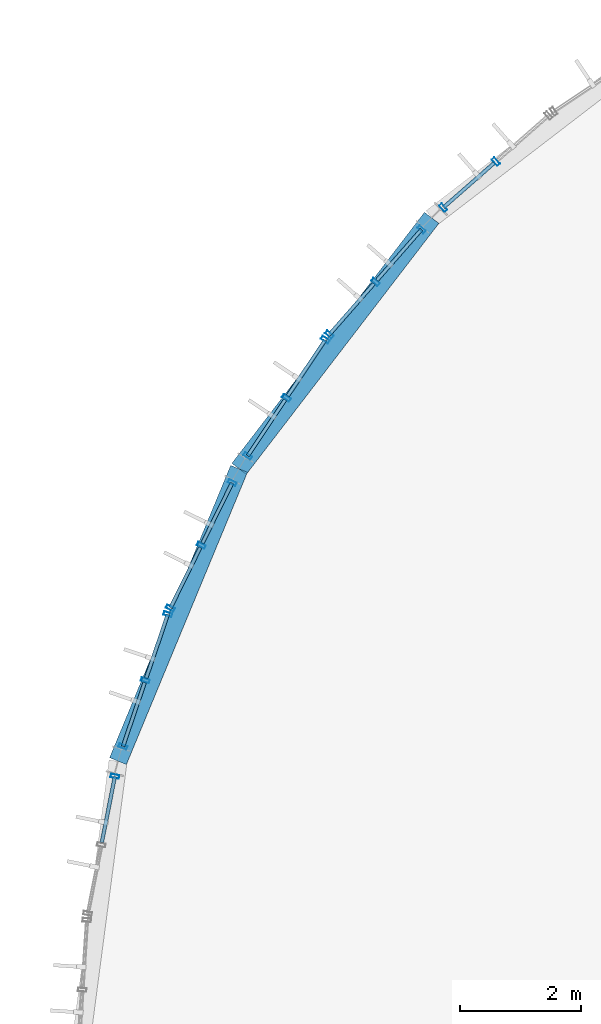
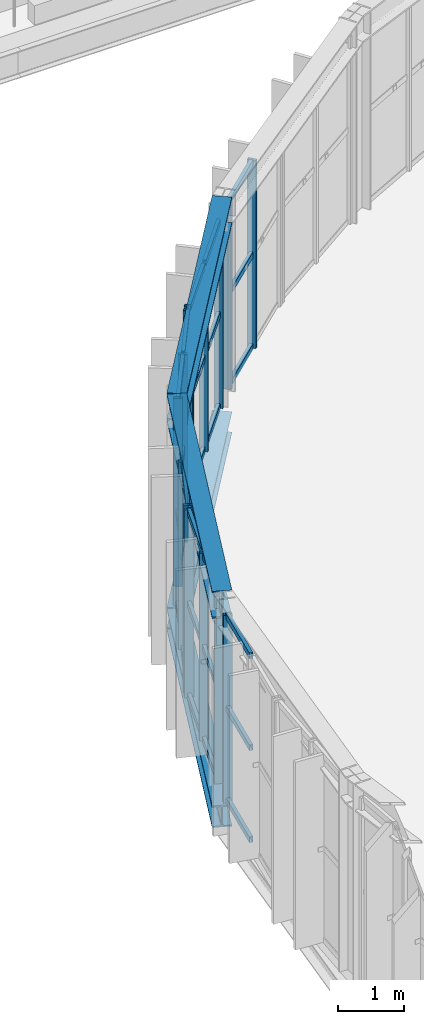
# One storey, part 51 of 152: 45 members, 4 beams, 6 elements without a shape of their own.
"""IFC4 building model written with IfcOpenShell, lengths in metres."""

from ifc_helpers import new_model, si_unit, derived_unit, direction, frame, origin, origin_2d, place, context, subcontext, project, spatial, hollow_rectangle, i_section, extrude, material, material_profile, profile_set, type_object, element, aggregate, save


model = new_model("IFC4")

# Units and contexts
model_context = context("Model", 3, precision=1e-05, world=origin(), true_north=direction((0.0, 1.0)))
body_context = subcontext(model_context, "Body", "Model", "MODEL_VIEW")
ifc_project = project(units=[si_unit("LENGTHUNIT", "METRE"), si_unit("AREAUNIT", "SQUARE_METRE"), si_unit("VOLUMEUNIT", "CUBIC_METRE"), si_unit("PLANEANGLEUNIT", "RADIAN"), si_unit("MASSUNIT", "GRAM", prefix="KILO"), si_unit("THERMODYNAMICTEMPERATUREUNIT", "KELVIN"), si_unit("TIMEUNIT", "SECOND"), derived_unit("THERMALTRANSMITTANCEUNIT", [(si_unit("MASSUNIT", "GRAM", prefix="KILO"), 1), (si_unit("THERMODYNAMICTEMPERATUREUNIT", "KELVIN"), -1), (si_unit("TIMEUNIT", "SECOND"), -3)])], contexts=[model_context])

# Site, building, storey
site_placement = place(None, origin())
site = spatial("IfcSite", under=ifc_project, at=site_placement, CompositionType="ELEMENT")
building_placement = place(site_placement, origin())
building = spatial("IfcBuilding", under=site, at=building_placement, Name="Cambertide Market Hall", CompositionType="ELEMENT")
storey_placement = place(building_placement, frame((0.0, 0.0, 5.39990234375)))
storey = spatial("IfcBuildingStorey", under=building, at=storey_placement, Name="L02", CompositionType="ELEMENT", Elevation=5.39990234375)

# Curtain wall, members
ifc_material_1 = material(Name="Marine Anodized Aluminium 6063-T6 AA25", Category="aluminium")
curtain_wall_type = type_object("IfcCurtainWallType", Name="Lantern Apse Chord Upper Curtain Wall", PredefinedType="USERDEFINED", material=ifc_material_1)
curtain_wall_1_placement = place(storey_placement, origin())
curtain_wall_1 = element("IfcCurtainWall", 1, at=curtain_wall_1_placement, inside=storey, type_object=curtain_wall_type, Name="Level 2 Curtain Wall CW-V1AW-L02-06", ObjectType="UNITIZED CURTAIN WALL", PredefinedType="USERDEFINED")
ifc_material_2 = material(Name="Champagne Marine Anodized Aluminium 6063-T6 AA25", Category="aluminium")
ifc_material_profile_1 = material_profile(ifc_material_2, hollow_rectangle(XDim=0.06005859375, YDim=0.139892578125, WallThickness=0.00341796875, at=origin_2d()), Name="ALU MULLION 60x140")
ifc_profile_set_1 = profile_set([ifc_material_profile_1], Name="Champagne Marine Anodized Aluminium 6063-T6 AA25")
member_type_1 = type_object("IfcMemberType", Name="Curtain Wall Mullion ALU MULLION 60x140", PredefinedType="MULLION", material=ifc_profile_set_1)
member_1_placement = place(storey_placement, frame((28.049560546875, 86.310302734375, 0.0), z_axis=(0.0, 0.0, 1.0), x_axis=(0.751839834741, 0.659345784014, 0.0)))
member_1 = element("IfcMember", 2, at=member_1_placement, type_object=member_type_1, Name="CW-V1AW-L02-06 Mullion 1", PredefinedType="MULLION", context=body_context, shape_type="SweptSolid", body=[
    extrude(hollow_rectangle(XDim=0.06005859375, YDim=0.139892578125, WallThickness=0.00341796875, at=origin_2d()), origin(), (0.0, 0.0, 1.0), 3.4501953125),
])
member_2_placement = place(storey_placement, frame((28.91650390625, 87.070556640625, 0.0), z_axis=(0.0, 0.0, 1.0), x_axis=(0.751839834741, 0.659345784014, 0.0)))
member_2 = element("IfcMember", 3, at=member_2_placement, type_object=member_type_1, Name="CW-V1AW-L02-06 Mullion 2", PredefinedType="MULLION", context=body_context, shape_type="SweptSolid", body=[
    extrude(hollow_rectangle(XDim=0.06005859375, YDim=0.139892578125, WallThickness=0.00341796875, at=origin_2d()), origin(), (0.0, 0.0, 1.0), 3.4501953125),
])

curtain_wall_2_placement = place(storey_placement, origin())
curtain_wall_2 = element("IfcCurtainWall", 4, at=curtain_wall_2_placement, inside=storey, type_object=curtain_wall_type, Name="Level 2 Curtain Wall CW-V1AW-L02-07", ObjectType="UNITIZED CURTAIN WALL", PredefinedType="USERDEFINED")
member_3_placement = place(storey_placement, frame((26.169189453125, 84.216552734375, 0.0), z_axis=(0.0, 0.0, 1.0), x_axis=(0.659345784014, 0.751839834741, 0.0)))
member_3 = element("IfcMember", 5, at=member_3_placement, type_object=member_type_1, Name="CW-V1AW-L02-07 Mullion 1", PredefinedType="MULLION", context=body_context, shape_type="SweptSolid", body=[
    extrude(hollow_rectangle(XDim=0.06005859375, YDim=0.139892578125, WallThickness=0.00341796875, at=origin_2d()), origin(), (0.0, 0.0, 1.0), 3.4501953125),
])
member_4_placement = place(storey_placement, frame((26.929443359375, 85.08349609375, 0.0), z_axis=(0.0, 0.0, 1.0), x_axis=(0.659345784014, 0.751839834741, 0.0)))
member_4 = element("IfcMember", 6, at=member_4_placement, type_object=member_type_1, Name="CW-V1AW-L02-07 Mullion 2", PredefinedType="MULLION", context=body_context, shape_type="SweptSolid", body=[
    extrude(hollow_rectangle(XDim=0.06005859375, YDim=0.139892578125, WallThickness=0.00341796875, at=origin_2d()), origin(), (0.0, 0.0, 1.0), 3.4501953125),
])
member_5_placement = place(storey_placement, frame((27.689697265625, 85.950439453125, 0.0), z_axis=(0.0, 0.0, 1.0), x_axis=(0.659345784014, 0.751839834741, 0.0)))
member_5 = element("IfcMember", 7, at=member_5_placement, type_object=member_type_1, Name="CW-V1AW-L02-07 Mullion 3", PredefinedType="MULLION", context=body_context, shape_type="SweptSolid", body=[
    extrude(hollow_rectangle(XDim=0.06005859375, YDim=0.139892578125, WallThickness=0.00341796875, at=origin_2d()), origin(), (0.0, 0.0, 1.0), 3.4501953125),
])

curtain_wall_3_placement = place(storey_placement, origin())
curtain_wall_3 = element("IfcCurtainWall", 8, at=curtain_wall_3_placement, inside=storey, type_object=curtain_wall_type, Name="Level 2 Curtain Wall CW-V1AW-L02-08", ObjectType="UNITIZED CURTAIN WALL", PredefinedType="USERDEFINED")
member_6_placement = place(storey_placement, frame((24.821044921875, 82.2119140625, 0.0), z_axis=(0.0, 0.0, 1.0), x_axis=(0.555570087582, 0.831469709481, 0.0)))
member_6 = element("IfcMember", 9, at=member_6_placement, type_object=member_type_1, Name="CW-V1AW-L02-08 Mullion 1", PredefinedType="MULLION", context=body_context, shape_type="SweptSolid", body=[
    extrude(hollow_rectangle(XDim=0.06005859375, YDim=0.139892578125, WallThickness=0.00341796875, at=origin_2d()), origin(), (0.0, 0.0, 1.0), 3.4501953125),
])
member_7_placement = place(storey_placement, frame((25.461669921875, 83.170654296875, 0.0), z_axis=(0.0, 0.0, 1.0), x_axis=(0.555570087582, 0.831469709481, 0.0)))
member_7 = element("IfcMember", 10, at=member_7_placement, type_object=member_type_1, Name="CW-V1AW-L02-08 Mullion 2", PredefinedType="MULLION", context=body_context, shape_type="SweptSolid", body=[
    extrude(hollow_rectangle(XDim=0.06005859375, YDim=0.139892578125, WallThickness=0.00341796875, at=origin_2d()), origin(), (0.0, 0.0, 1.0), 3.4501953125),
])
member_8_placement = place(storey_placement, frame((26.102294921875, 84.12939453125, 0.0), z_axis=(0.0, 0.0, 1.0), x_axis=(0.555570087582, 0.831469709481, 0.0)))
member_8 = element("IfcMember", 11, at=member_8_placement, type_object=member_type_1, Name="CW-V1AW-L02-08 Mullion 3", PredefinedType="MULLION", context=body_context, shape_type="SweptSolid", body=[
    extrude(hollow_rectangle(XDim=0.06005859375, YDim=0.139892578125, WallThickness=0.00341796875, at=origin_2d()), origin(), (0.0, 0.0, 1.0), 3.4501953125),
])

curtain_wall_4_placement = place(storey_placement, origin())
curtain_wall_4 = element("IfcCurtainWall", 12, at=curtain_wall_4_placement, inside=storey, type_object=curtain_wall_type, Name="Level 2 Curtain Wall CW-V1AW-L02-09", ObjectType="UNITIZED CURTAIN WALL", PredefinedType="USERDEFINED")
member_9_placement = place(storey_placement, frame((23.546630859375, 79.702880859375, 0.0), z_axis=(0.0, 0.0, 1.0), x_axis=(0.442288874522, 0.896872650645, 0.0)))
member_9 = element("IfcMember", 13, at=member_9_placement, type_object=member_type_1, Name="CW-V1AW-L02-09 Mullion 1", PredefinedType="MULLION", context=body_context, shape_type="SweptSolid", body=[
    extrude(hollow_rectangle(XDim=0.06005859375, YDim=0.139892578125, WallThickness=0.00341796875, at=origin_2d()), origin(), (0.0, 0.0, 1.0), 3.4501953125),
])
member_10_placement = place(storey_placement, frame((24.056640625, 80.737060546875, 0.0), z_axis=(0.0, 0.0, 1.0), x_axis=(0.442288874522, 0.896872650645, 0.0)))
member_10 = element("IfcMember", 14, at=member_10_placement, type_object=member_type_1, Name="CW-V1AW-L02-09 Mullion 2", PredefinedType="MULLION", context=body_context, shape_type="SweptSolid", body=[
    extrude(hollow_rectangle(XDim=0.06005859375, YDim=0.139892578125, WallThickness=0.00341796875, at=origin_2d()), origin(), (0.0, 0.0, 1.0), 3.4501953125),
])
member_11_placement = place(storey_placement, frame((24.566650390625, 81.771240234375, 0.0), z_axis=(0.0, 0.0, 1.0), x_axis=(0.442288874522, 0.896872650645, 0.0)))
member_11 = element("IfcMember", 15, at=member_11_placement, type_object=member_type_1, Name="CW-V1AW-L02-09 Mullion 3", PredefinedType="MULLION", context=body_context, shape_type="SweptSolid", body=[
    extrude(hollow_rectangle(XDim=0.06005859375, YDim=0.139892578125, WallThickness=0.00341796875, at=origin_2d()), origin(), (0.0, 0.0, 1.0), 3.4501953125),
])

curtain_wall_5_placement = place(storey_placement, origin())
curtain_wall_5 = element("IfcCurtainWall", 16, at=curtain_wall_5_placement, inside=storey, type_object=curtain_wall_type, Name="Level 2 Curtain Wall CW-V1AW-L02-10", ObjectType="UNITIZED CURTAIN WALL", PredefinedType="USERDEFINED")
member_12_placement = place(storey_placement, frame((22.763427734375, 77.41796875, 0.0), z_axis=(0.0, 0.0, 1.0), x_axis=(0.32143947831, 0.94693012508, 0.0)))
member_12 = element("IfcMember", 17, at=member_12_placement, type_object=member_type_1, Name="CW-V1AW-L02-10 Mullion 1", PredefinedType="MULLION", context=body_context, shape_type="SweptSolid", body=[
    extrude(hollow_rectangle(XDim=0.06005859375, YDim=0.139892578125, WallThickness=0.00341796875, at=origin_2d()), origin(), (0.0, 0.0, 1.0), 3.4501953125),
])
member_13_placement = place(storey_placement, frame((23.134033203125, 78.509765625, 0.0), z_axis=(0.0, 0.0, 1.0), x_axis=(0.32143947831, 0.94693012508, 0.0)))
member_13 = element("IfcMember", 18, at=member_13_placement, type_object=member_type_1, Name="CW-V1AW-L02-10 Mullion 2", PredefinedType="MULLION", context=body_context, shape_type="SweptSolid", body=[
    extrude(hollow_rectangle(XDim=0.06005859375, YDim=0.139892578125, WallThickness=0.00341796875, at=origin_2d()), origin(), (0.0, 0.0, 1.0), 3.4501953125),
])
member_14_placement = place(storey_placement, frame((23.504638671875, 79.6015625, 0.0), z_axis=(0.0, 0.0, 1.0), x_axis=(0.32143947831, 0.94693012508, 0.0)))
member_14 = element("IfcMember", 19, at=member_14_placement, type_object=member_type_1, Name="CW-V1AW-L02-10 Mullion 3", PredefinedType="MULLION", context=body_context, shape_type="SweptSolid", body=[
    extrude(hollow_rectangle(XDim=0.06005859375, YDim=0.139892578125, WallThickness=0.00341796875, at=origin_2d()), origin(), (0.0, 0.0, 1.0), 3.4501953125),
])

# Curtain wall, member
curtain_wall_6_placement = place(storey_placement, origin())
curtain_wall_6 = element("IfcCurtainWall", 20, at=curtain_wall_6_placement, inside=storey, type_object=curtain_wall_type, Name="Level 2 Curtain Wall CW-V1AW-L02-11", ObjectType="UNITIZED CURTAIN WALL", PredefinedType="USERDEFINED")
member_15_placement = place(storey_placement, frame((22.6318359375, 76.92626953125, 0.0), z_axis=(0.0, 0.0, 1.0), x_axis=(0.195090068226, 0.980785330885, 0.0)))
member_15 = element("IfcMember", 21, at=member_15_placement, type_object=member_type_1, Name="CW-V1AW-L02-11 Mullion 3", PredefinedType="MULLION", context=body_context, shape_type="SweptSolid", body=[
    extrude(hollow_rectangle(XDim=0.06005859375, YDim=0.139892578125, WallThickness=0.00341796875, at=origin_2d()), origin(), (0.0, 0.0, 1.0), 3.4501953125),
])

# Member
ifc_material_3 = material(Name="Champagne Marine Anodized Aluminium 6063-T6 AA25", Category="aluminium")
ifc_material_profile_2 = material_profile(ifc_material_3, hollow_rectangle(XDim=0.06005859375, YDim=0.10498046875, WallThickness=0.0029296875, at=origin_2d()), Name="ALU TRANSOM 60x105")
ifc_profile_set_2 = profile_set([ifc_material_profile_2], Name="Champagne Marine Anodized Aluminium 6063-T6 AA25")
member_type_2 = type_object("IfcMemberType", Name="Curtain Wall Transom ALU TRANSOM 60x105", PredefinedType="USERDEFINED", material=ifc_profile_set_2)
member_16_placement = place(storey_placement, frame((28.05322265625, 86.3134765625, 0.03515625), z_axis=(0.751852984677, 0.659330789082, 0.0), x_axis=(-0.659330789082, 0.751852984677, 0.0)))
member_16 = element("IfcMember", 22, at=member_16_placement, type_object=member_type_2, Name="CW-V1AW-L02-06 Transom 1-1", ObjectType="TRANSOM", PredefinedType="USERDEFINED", context=body_context, shape_type="SweptSolid", body=[
    extrude(hollow_rectangle(XDim=0.06005859375, YDim=0.10498046875, WallThickness=0.0029296875, at=origin_2d()), origin(), (0.0, 0.0, 1.0), 1.108154296875),
])

member_17_placement = place(storey_placement, frame((28.05322265625, 86.3134765625, 1.72509765625), z_axis=(0.751852984677, 0.659330789082, 0.0), x_axis=(-0.659330789082, 0.751852984677, 0.0)))
member_17 = element("IfcMember", 23, at=member_17_placement, type_object=member_type_2, Name="CW-V1AW-L02-06 Transom 2-1", ObjectType="TRANSOM", PredefinedType="USERDEFINED", context=body_context, shape_type="SweptSolid", body=[
    extrude(hollow_rectangle(XDim=0.06005859375, YDim=0.10498046875, WallThickness=0.0029296875, at=origin_2d()), origin(), (0.0, 0.0, 1.0), 1.108154296875),
])

member_18_placement = place(storey_placement, frame((28.05322265625, 86.3134765625, 3.4150390625), z_axis=(0.751852984677, 0.659330789082, 0.0), x_axis=(-0.659330789082, 0.751852984677, 0.0)))
member_18 = element("IfcMember", 24, at=member_18_placement, type_object=member_type_2, Name="CW-V1AW-L02-06 Transom 3-1", ObjectType="TRANSOM", PredefinedType="USERDEFINED", context=body_context, shape_type="SweptSolid", body=[
    extrude(hollow_rectangle(XDim=0.06005859375, YDim=0.10498046875, WallThickness=0.0029296875, at=origin_2d()), origin(), (0.0, 0.0, 1.0), 1.108154296875),
])

aggregate(curtain_wall_1, [member_1, member_2, member_16, member_17, member_18])

member_19_placement = place(storey_placement, frame((26.172607421875, 84.220458984375, 0.03515625), z_axis=(0.659315460062, 0.751866427049, 0.0), x_axis=(-0.751866427049, 0.659315460062, 0.0)))
member_19 = element("IfcMember", 25, at=member_19_placement, type_object=member_type_2, Name="CW-V1AW-L02-07 Transom 1-1", ObjectType="TRANSOM", PredefinedType="USERDEFINED", context=body_context, shape_type="SweptSolid", body=[
    extrude(hollow_rectangle(XDim=0.06005859375, YDim=0.10498046875, WallThickness=0.0029296875, at=origin_2d()), origin(), (0.0, 0.0, 1.0), 1.10791015625),
])

member_20_placement = place(storey_placement, frame((26.955810546875, 85.113525390625, 0.03515625), z_axis=(0.659330789082, 0.751852984677, 0.0), x_axis=(-0.751852984677, 0.659330789082, 0.0)))
member_20 = element("IfcMember", 26, at=member_20_placement, type_object=member_type_2, Name="CW-V1AW-L02-07 Transom 1-2", ObjectType="TRANSOM", PredefinedType="USERDEFINED", context=body_context, shape_type="SweptSolid", body=[
    extrude(hollow_rectangle(XDim=0.06005859375, YDim=0.10498046875, WallThickness=0.0029296875, at=origin_2d()), origin(), (0.0, 0.0, 1.0), 1.108154296875),
])

member_21_placement = place(storey_placement, frame((26.172607421875, 84.220458984375, 1.72509765625), z_axis=(0.659315460062, 0.751866427049, 0.0), x_axis=(-0.751866427049, 0.659315460062, 0.0)))
member_21 = element("IfcMember", 27, at=member_21_placement, type_object=member_type_2, Name="CW-V1AW-L02-07 Transom 2-1", ObjectType="TRANSOM", PredefinedType="USERDEFINED", context=body_context, shape_type="SweptSolid", body=[
    extrude(hollow_rectangle(XDim=0.06005859375, YDim=0.10498046875, WallThickness=0.0029296875, at=origin_2d()), origin(), (0.0, 0.0, 1.0), 1.10791015625),
])

member_22_placement = place(storey_placement, frame((26.955810546875, 85.113525390625, 1.72509765625), z_axis=(0.659330789082, 0.751852984677, 0.0), x_axis=(-0.751852984677, 0.659330789082, 0.0)))
member_22 = element("IfcMember", 28, at=member_22_placement, type_object=member_type_2, Name="CW-V1AW-L02-07 Transom 2-2", ObjectType="TRANSOM", PredefinedType="USERDEFINED", context=body_context, shape_type="SweptSolid", body=[
    extrude(hollow_rectangle(XDim=0.06005859375, YDim=0.10498046875, WallThickness=0.0029296875, at=origin_2d()), origin(), (0.0, 0.0, 1.0), 1.108154296875),
])

member_23_placement = place(storey_placement, frame((26.172607421875, 84.220458984375, 3.4150390625), z_axis=(0.659315460062, 0.751866427049, 0.0), x_axis=(-0.751866427049, 0.659315460062, 0.0)))
member_23 = element("IfcMember", 29, at=member_23_placement, type_object=member_type_2, Name="CW-V1AW-L02-07 Transom 3-1", ObjectType="TRANSOM", PredefinedType="USERDEFINED", context=body_context, shape_type="SweptSolid", body=[
    extrude(hollow_rectangle(XDim=0.06005859375, YDim=0.10498046875, WallThickness=0.0029296875, at=origin_2d()), origin(), (0.0, 0.0, 1.0), 1.10791015625),
])

member_24_placement = place(storey_placement, frame((26.955810546875, 85.113525390625, 3.4150390625), z_axis=(0.659330789082, 0.751852984677, 0.0), x_axis=(-0.751852984677, 0.659330789082, 0.0)))
member_24 = element("IfcMember", 30, at=member_24_placement, type_object=member_type_2, Name="CW-V1AW-L02-07 Transom 3-2", ObjectType="TRANSOM", PredefinedType="USERDEFINED", context=body_context, shape_type="SweptSolid", body=[
    extrude(hollow_rectangle(XDim=0.06005859375, YDim=0.10498046875, WallThickness=0.0029296875, at=origin_2d()), origin(), (0.0, 0.0, 1.0), 1.108154296875),
])

aggregate(curtain_wall_2, [member_3, member_4, member_5, member_19, member_20, member_21, member_22, member_23, member_24])

member_25_placement = place(storey_placement, frame((24.823974609375, 82.216064453125, 0.03515625), z_axis=(0.555462658685, 0.83154148111, 0.0), x_axis=(-0.83154148111, 0.555462658685, 0.0)))
member_25 = element("IfcMember", 31, at=member_25_placement, type_object=member_type_2, Name="CW-V1AW-L02-08 Transom 1-1", ObjectType="TRANSOM", PredefinedType="USERDEFINED", context=body_context, shape_type="SweptSolid", body=[
    extrude(hollow_rectangle(XDim=0.06005859375, YDim=0.10498046875, WallThickness=0.0029296875, at=origin_2d()), origin(), (0.0, 0.0, 1.0), 1.108154296875),
])

member_26_placement = place(storey_placement, frame((25.48388671875, 83.2041015625, 0.03515625), z_axis=(0.55571677103, 0.831371680054, 0.0), x_axis=(-0.831371680054, 0.55571677103, 0.0)))
member_26 = element("IfcMember", 32, at=member_26_placement, type_object=member_type_2, Name="CW-V1AW-L02-08 Transom 1-2", ObjectType="TRANSOM", PredefinedType="USERDEFINED", context=body_context, shape_type="SweptSolid", body=[
    extrude(hollow_rectangle(XDim=0.06005859375, YDim=0.10498046875, WallThickness=0.0029296875, at=origin_2d()), origin(), (0.0, 0.0, 1.0), 1.10791015625),
])

member_27_placement = place(storey_placement, frame((24.823974609375, 82.216064453125, 1.72509765625), z_axis=(0.555462658685, 0.83154148111, 0.0), x_axis=(-0.83154148111, 0.555462658685, 0.0)))
member_27 = element("IfcMember", 33, at=member_27_placement, type_object=member_type_2, Name="CW-V1AW-L02-08 Transom 2-1", ObjectType="TRANSOM", PredefinedType="USERDEFINED", context=body_context, shape_type="SweptSolid", body=[
    extrude(hollow_rectangle(XDim=0.06005859375, YDim=0.10498046875, WallThickness=0.0029296875, at=origin_2d()), origin(), (0.0, 0.0, 1.0), 1.108154296875),
])

member_28_placement = place(storey_placement, frame((25.48388671875, 83.2041015625, 1.72509765625), z_axis=(0.55571677103, 0.831371680054, 0.0), x_axis=(-0.831371680054, 0.55571677103, 0.0)))
member_28 = element("IfcMember", 34, at=member_28_placement, type_object=member_type_2, Name="CW-V1AW-L02-08 Transom 2-2", ObjectType="TRANSOM", PredefinedType="USERDEFINED", context=body_context, shape_type="SweptSolid", body=[
    extrude(hollow_rectangle(XDim=0.06005859375, YDim=0.10498046875, WallThickness=0.0029296875, at=origin_2d()), origin(), (0.0, 0.0, 1.0), 1.10791015625),
])

member_29_placement = place(storey_placement, frame((24.823974609375, 82.216064453125, 3.4150390625), z_axis=(0.555462658685, 0.83154148111, 0.0), x_axis=(-0.83154148111, 0.555462658685, 0.0)))
member_29 = element("IfcMember", 35, at=member_29_placement, type_object=member_type_2, Name="CW-V1AW-L02-08 Transom 3-1", ObjectType="TRANSOM", PredefinedType="USERDEFINED", context=body_context, shape_type="SweptSolid", body=[
    extrude(hollow_rectangle(XDim=0.06005859375, YDim=0.10498046875, WallThickness=0.0029296875, at=origin_2d()), origin(), (0.0, 0.0, 1.0), 1.108154296875),
])

member_30_placement = place(storey_placement, frame((25.48388671875, 83.2041015625, 3.4150390625), z_axis=(0.55571677103, 0.831371680054, 0.0), x_axis=(-0.831371680054, 0.55571677103, 0.0)))
member_30 = element("IfcMember", 36, at=member_30_placement, type_object=member_type_2, Name="CW-V1AW-L02-08 Transom 3-2", ObjectType="TRANSOM", PredefinedType="USERDEFINED", context=body_context, shape_type="SweptSolid", body=[
    extrude(hollow_rectangle(XDim=0.06005859375, YDim=0.10498046875, WallThickness=0.0029296875, at=origin_2d()), origin(), (0.0, 0.0, 1.0), 1.10791015625),
])

aggregate(curtain_wall_3, [member_6, member_7, member_8, member_25, member_26, member_27, member_28, member_29, member_30])

member_31_placement = place(storey_placement, frame((23.548828125, 79.70751953125, 0.03515625), z_axis=(0.44244786472, 0.896794227794, 0.0), x_axis=(-0.896794227794, 0.44244786472, 0.0)))
member_31 = element("IfcMember", 37, at=member_31_placement, type_object=member_type_2, Name="CW-V1AW-L02-09 Transom 1-1", ObjectType="TRANSOM", PredefinedType="USERDEFINED", context=body_context, shape_type="SweptSolid", body=[
    extrude(hollow_rectangle(XDim=0.06005859375, YDim=0.10498046875, WallThickness=0.0029296875, at=origin_2d()), origin(), (0.0, 0.0, 1.0), 1.10791015625),
])

member_32_placement = place(storey_placement, frame((24.074462890625, 80.77294921875, 0.03515625), z_axis=(0.442183235129, 0.896924738521, 0.0), x_axis=(-0.896924738521, 0.442183235129, 0.0)))
member_32 = element("IfcMember", 38, at=member_32_placement, type_object=member_type_2, Name="CW-V1AW-L02-09 Transom 1-2", ObjectType="TRANSOM", PredefinedType="USERDEFINED", context=body_context, shape_type="SweptSolid", body=[
    extrude(hollow_rectangle(XDim=0.06005859375, YDim=0.10498046875, WallThickness=0.0029296875, at=origin_2d()), origin(), (0.0, 0.0, 1.0), 1.108154296875),
])

member_33_placement = place(storey_placement, frame((23.548828125, 79.70751953125, 1.72509765625), z_axis=(0.44244786472, 0.896794227794, 0.0), x_axis=(-0.896794227794, 0.44244786472, 0.0)))
member_33 = element("IfcMember", 39, at=member_33_placement, type_object=member_type_2, Name="CW-V1AW-L02-09 Transom 2-1", ObjectType="TRANSOM", PredefinedType="USERDEFINED", context=body_context, shape_type="SweptSolid", body=[
    extrude(hollow_rectangle(XDim=0.06005859375, YDim=0.10498046875, WallThickness=0.0029296875, at=origin_2d()), origin(), (0.0, 0.0, 1.0), 1.10791015625),
])

member_34_placement = place(storey_placement, frame((24.074462890625, 80.77294921875, 1.72509765625), z_axis=(0.442183235129, 0.896924738521, 0.0), x_axis=(-0.896924738521, 0.442183235129, 0.0)))
member_34 = element("IfcMember", 40, at=member_34_placement, type_object=member_type_2, Name="CW-V1AW-L02-09 Transom 2-2", ObjectType="TRANSOM", PredefinedType="USERDEFINED", context=body_context, shape_type="SweptSolid", body=[
    extrude(hollow_rectangle(XDim=0.06005859375, YDim=0.10498046875, WallThickness=0.0029296875, at=origin_2d()), origin(), (0.0, 0.0, 1.0), 1.108154296875),
])

member_35_placement = place(storey_placement, frame((23.548828125, 79.70751953125, 3.4150390625), z_axis=(0.44244786472, 0.896794227794, 0.0), x_axis=(-0.896794227794, 0.44244786472, 0.0)))
member_35 = element("IfcMember", 41, at=member_35_placement, type_object=member_type_2, Name="CW-V1AW-L02-09 Transom 3-1", ObjectType="TRANSOM", PredefinedType="USERDEFINED", context=body_context, shape_type="SweptSolid", body=[
    extrude(hollow_rectangle(XDim=0.06005859375, YDim=0.10498046875, WallThickness=0.0029296875, at=origin_2d()), origin(), (0.0, 0.0, 1.0), 1.10791015625),
])

member_36_placement = place(storey_placement, frame((24.074462890625, 80.77294921875, 3.4150390625), z_axis=(0.442183235129, 0.896924738521, 0.0), x_axis=(-0.896924738521, 0.442183235129, 0.0)))
member_36 = element("IfcMember", 42, at=member_36_placement, type_object=member_type_2, Name="CW-V1AW-L02-09 Transom 3-2", ObjectType="TRANSOM", PredefinedType="USERDEFINED", context=body_context, shape_type="SweptSolid", body=[
    extrude(hollow_rectangle(XDim=0.06005859375, YDim=0.10498046875, WallThickness=0.0029296875, at=origin_2d()), origin(), (0.0, 0.0, 1.0), 1.108154296875),
])

aggregate(curtain_wall_4, [member_9, member_10, member_11, member_31, member_32, member_33, member_34, member_35, member_36])

member_37_placement = place(storey_placement, frame((22.76513671875, 77.422607421875, 0.03515625), z_axis=(0.321444521782, 0.946928413037, 0.0), x_axis=(-0.946928413037, 0.321444521782, 0.0)))
member_37 = element("IfcMember", 43, at=member_37_placement, type_object=member_type_2, Name="CW-V1AW-L02-10 Transom 1-1", ObjectType="TRANSOM", PredefinedType="USERDEFINED", context=body_context, shape_type="SweptSolid", body=[
    extrude(hollow_rectangle(XDim=0.06005859375, YDim=0.10498046875, WallThickness=0.0029296875, at=origin_2d()), origin(), (0.0, 0.0, 1.0), 1.108154296875),
])

member_38_placement = place(storey_placement, frame((23.14697265625, 78.547607421875, 0.03515625), z_axis=(0.321444521782, 0.946928413037, 0.0), x_axis=(-0.946928413037, 0.321444521782, 0.0)))
member_38 = element("IfcMember", 44, at=member_38_placement, type_object=member_type_2, Name="CW-V1AW-L02-10 Transom 1-2", ObjectType="TRANSOM", PredefinedType="USERDEFINED", context=body_context, shape_type="SweptSolid", body=[
    extrude(hollow_rectangle(XDim=0.06005859375, YDim=0.10498046875, WallThickness=0.0029296875, at=origin_2d()), origin(), (0.0, 0.0, 1.0), 1.108154296875),
])

member_39_placement = place(storey_placement, frame((22.76513671875, 77.422607421875, 1.72509765625), z_axis=(0.321444521782, 0.946928413037, 0.0), x_axis=(-0.946928413037, 0.321444521782, 0.0)))
member_39 = element("IfcMember", 45, at=member_39_placement, type_object=member_type_2, Name="CW-V1AW-L02-10 Transom 2-1", ObjectType="TRANSOM", PredefinedType="USERDEFINED", context=body_context, shape_type="SweptSolid", body=[
    extrude(hollow_rectangle(XDim=0.06005859375, YDim=0.10498046875, WallThickness=0.0029296875, at=origin_2d()), origin(), (0.0, 0.0, 1.0), 1.108154296875),
])

member_40_placement = place(storey_placement, frame((23.14697265625, 78.547607421875, 1.72509765625), z_axis=(0.321444521782, 0.946928413037, 0.0), x_axis=(-0.946928413037, 0.321444521782, 0.0)))
member_40 = element("IfcMember", 46, at=member_40_placement, type_object=member_type_2, Name="CW-V1AW-L02-10 Transom 2-2", ObjectType="TRANSOM", PredefinedType="USERDEFINED", context=body_context, shape_type="SweptSolid", body=[
    extrude(hollow_rectangle(XDim=0.06005859375, YDim=0.10498046875, WallThickness=0.0029296875, at=origin_2d()), origin(), (0.0, 0.0, 1.0), 1.108154296875),
])

member_41_placement = place(storey_placement, frame((22.76513671875, 77.422607421875, 3.4150390625), z_axis=(0.321444521782, 0.946928413037, 0.0), x_axis=(-0.946928413037, 0.321444521782, 0.0)))
member_41 = element("IfcMember", 47, at=member_41_placement, type_object=member_type_2, Name="CW-V1AW-L02-10 Transom 3-1", ObjectType="TRANSOM", PredefinedType="USERDEFINED", context=body_context, shape_type="SweptSolid", body=[
    extrude(hollow_rectangle(XDim=0.06005859375, YDim=0.10498046875, WallThickness=0.0029296875, at=origin_2d()), origin(), (0.0, 0.0, 1.0), 1.108154296875),
])

member_42_placement = place(storey_placement, frame((23.14697265625, 78.547607421875, 3.4150390625), z_axis=(0.321444521782, 0.946928413037, 0.0), x_axis=(-0.946928413037, 0.321444521782, 0.0)))
member_42 = element("IfcMember", 48, at=member_42_placement, type_object=member_type_2, Name="CW-V1AW-L02-10 Transom 3-2", ObjectType="TRANSOM", PredefinedType="USERDEFINED", context=body_context, shape_type="SweptSolid", body=[
    extrude(hollow_rectangle(XDim=0.06005859375, YDim=0.10498046875, WallThickness=0.0029296875, at=origin_2d()), origin(), (0.0, 0.0, 1.0), 1.108154296875),
])

aggregate(curtain_wall_5, [member_12, member_13, member_14, member_37, member_38, member_39, member_40, member_41, member_42])

member_43_placement = place(storey_placement, frame((22.41455078125, 75.834716796875, 0.03515625), z_axis=(0.195226197175, 0.980758243369, 0.0), x_axis=(-0.980758243369, 0.195226197175, 0.0)))
member_43 = element("IfcMember", 49, at=member_43_placement, type_object=member_type_2, Name="CW-V1AW-L02-11 Transom 1-2", ObjectType="TRANSOM", PredefinedType="USERDEFINED", context=body_context, shape_type="SweptSolid", body=[
    extrude(hollow_rectangle(XDim=0.06005859375, YDim=0.10498046875, WallThickness=0.0029296875, at=origin_2d()), origin(), (0.0, 0.0, 1.0), 1.10791015625),
])

member_44_placement = place(storey_placement, frame((22.41455078125, 75.834716796875, 1.72509765625), z_axis=(0.195226197175, 0.980758243369, 0.0), x_axis=(-0.980758243369, 0.195226197175, 0.0)))
member_44 = element("IfcMember", 50, at=member_44_placement, type_object=member_type_2, Name="CW-V1AW-L02-11 Transom 2-2", ObjectType="TRANSOM", PredefinedType="USERDEFINED", context=body_context, shape_type="SweptSolid", body=[
    extrude(hollow_rectangle(XDim=0.06005859375, YDim=0.10498046875, WallThickness=0.0029296875, at=origin_2d()), origin(), (0.0, 0.0, 1.0), 1.10791015625),
])

member_45_placement = place(storey_placement, frame((22.41455078125, 75.834716796875, 3.4150390625), z_axis=(0.195226197175, 0.980758243369, 0.0), x_axis=(-0.980758243369, 0.195226197175, 0.0)))
member_45 = element("IfcMember", 51, at=member_45_placement, type_object=member_type_2, Name="CW-V1AW-L02-11 Transom 3-2", ObjectType="TRANSOM", PredefinedType="USERDEFINED", context=body_context, shape_type="SweptSolid", body=[
    extrude(hollow_rectangle(XDim=0.06005859375, YDim=0.10498046875, WallThickness=0.0029296875, at=origin_2d()), origin(), (0.0, 0.0, 1.0), 1.10791015625),
])

aggregate(curtain_wall_6, [member_15, member_43, member_44, member_45])

# Beams
ifc_material_4 = material(Name="Steel S355", Category="steel")
ifc_material_profile_3 = material_profile(ifc_material_4, i_section(OverallWidth=0.300048828125, OverallDepth=0.5, WebThickness=0.014404296875, FlangeThickness=0.028076171875, FilletRadius=0.027099609375, at=origin_2d()), Name="HEB 500")
ifc_profile_set_3 = profile_set([ifc_material_profile_3], Name="Steel S355")
beam_type_1 = type_object("IfcBeamType", Name="Exterior Steel Girder HEB 500", PredefinedType="BEAM", material=ifc_profile_set_3)
beam_1_placement = place(storey_placement, frame((27.85791015625, 86.14208984375, 3.4501953125), z_axis=(-0.608777037117, -0.793341363525, 0.0), x_axis=(0.793341363525, -0.608777037117, 0.0)))
element("IfcBeam", 52, at=beam_1_placement, inside=storey, type_object=beam_type_1, Name="Level 2 Beam EAVE-V1AW-04", PredefinedType="BEAM", context=body_context, shape_type="SweptSolid", body=[
    extrude(i_section(OverallWidth=0.300048828125, OverallDepth=0.5, WebThickness=0.014404296875, FlangeThickness=0.028076171875, FilletRadius=0.027099609375, at=origin_2d()), origin(), (0.0, 0.0, 1.0), 5.220947265625),
])
beam_2_placement = place(storey_placement, frame((24.679443359375, 82.0, 3.4501953125), z_axis=(-0.382682172528, -0.923880054352, 0.0), x_axis=(0.923880054352, -0.382682172528, 0.0)))
element("IfcBeam", 53, at=beam_2_placement, inside=storey, type_object=beam_type_1, Name="Level 2 Beam EAVE-V1AW-05", PredefinedType="BEAM", context=body_context, shape_type="SweptSolid", body=[
    extrude(i_section(OverallWidth=0.300048828125, OverallDepth=0.5, WebThickness=0.014404296875, FlangeThickness=0.028076171875, FilletRadius=0.027099609375, at=origin_2d()), origin(), (0.0, 0.0, 1.0), 5.22119140625),
])
ifc_material_5 = material(Name="Steel S355", Category="steel")
ifc_material_profile_4 = material_profile(ifc_material_5, i_section(OverallWidth=0.300048828125, OverallDepth=0.39990234375, WebThickness=0.013427734375, FlangeThickness=0.02392578125, FilletRadius=0.027099609375, at=origin_2d()), Name="HEB 400")
ifc_profile_set_4 = profile_set([ifc_material_profile_4], Name="Steel S355")
beam_type_2 = type_object("IfcBeamType", Name="Steel Girder HEB 400", PredefinedType="BEAM", material=ifc_profile_set_4)
beam_3_placement = place(storey_placement, frame((27.85791015625, 86.14208984375, -0.43994140625), z_axis=(-0.608777037117, -0.793341363525, 0.0), x_axis=(0.793341363525, -0.608777037117, 0.0)))
element("IfcBeam", 54, at=beam_3_placement, inside=storey, type_object=beam_type_2, Name="Level 2 Beam BM-V1AW-L02-4", PredefinedType="BEAM", context=body_context, shape_type="SweptSolid", body=[
    extrude(i_section(OverallWidth=0.300048828125, OverallDepth=0.39990234375, WebThickness=0.013427734375, FlangeThickness=0.02392578125, FilletRadius=0.027099609375, at=origin_2d()), origin(), (0.0, 0.0, 1.0), 5.220947265625),
])
beam_4_placement = place(storey_placement, frame((24.679443359375, 82.0, -0.43994140625), z_axis=(-0.382682172528, -0.923880054352, 0.0), x_axis=(0.923880054352, -0.382682172528, 0.0)))
element("IfcBeam", 55, at=beam_4_placement, inside=storey, type_object=beam_type_2, Name="Level 2 Beam BM-V1AW-L02-5", PredefinedType="BEAM", context=body_context, shape_type="SweptSolid", body=[
    extrude(i_section(OverallWidth=0.300048828125, OverallDepth=0.39990234375, WebThickness=0.013427734375, FlangeThickness=0.02392578125, FilletRadius=0.027099609375, at=origin_2d()), origin(), (0.0, 0.0, 1.0), 5.22119140625),
])

save(model, "model.ifc")
